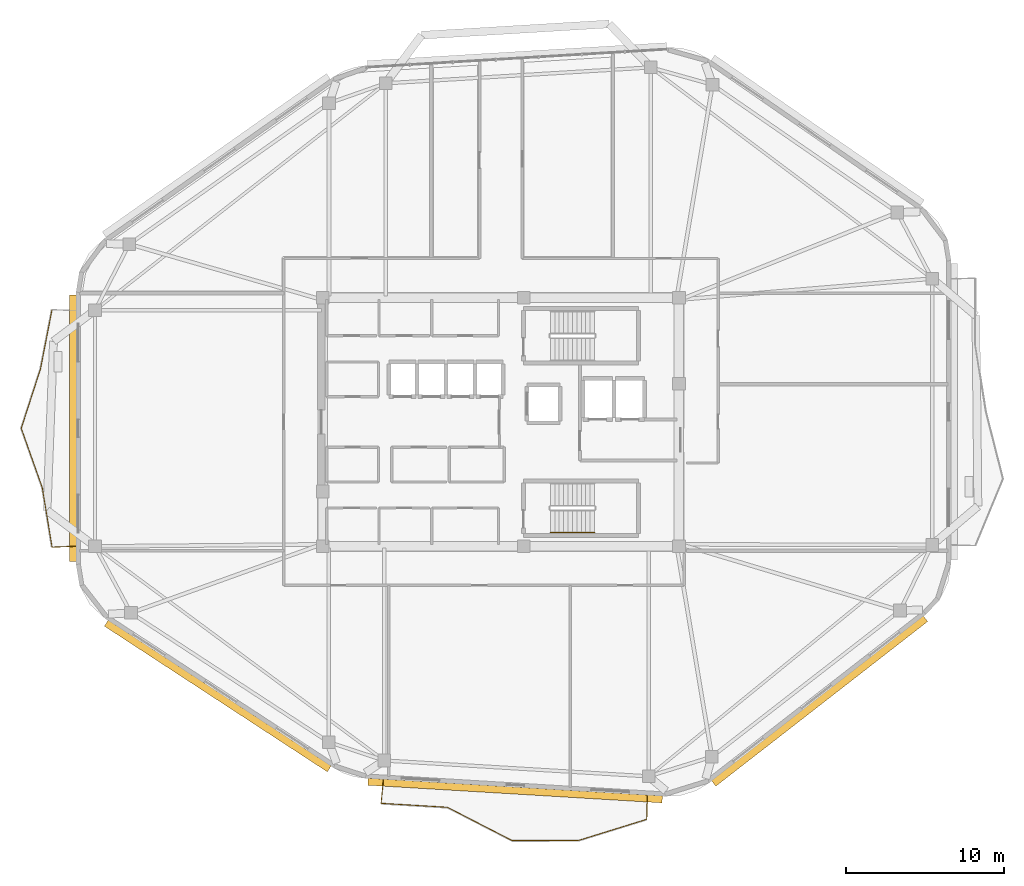
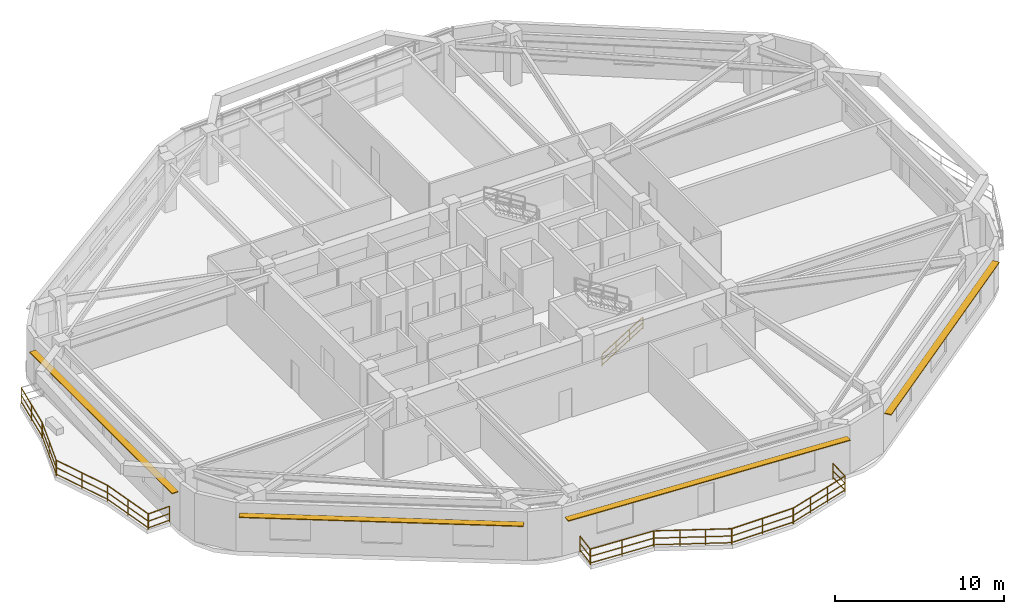
# One storey, part 10 of 12: 12 railings, 4 shading devices.
"""IFC4 building model written with IfcOpenShell, lengths in metres."""

import ifcopenshell
import ifcopenshell.guid

model = None  # the IFC model being written
_history = None  # IfcOwnerHistory: only IFC2X3 demands one
_inside = {}  # id of a spatial element -> (the spatial element, [elements in it])
_under = {}  # id of a project, library or spatial element -> (it, [spatial elements below it])
_declared = {}  # id of a project -> (the project, [libraries it declares])
_typed = {}  # id of a type object -> (the type object, [elements of that type])
_made_of = {}  # id of a material, layer set ... -> (it, [elements and type objects made of it])


def new_model(schema):
    """Start an empty IFC model of exactly this schema.

    Asked for "IFC4X3", IfcOpenShell would pick the latest addendum, in which some entities
    have other attributes; the version numbers below select the first issue.
    IFC2X3 requires an IfcOwnerHistory on every rooted entity: one is made here for all.
    """
    global model, _history
    if schema == "IFC4X3":
        model = ifcopenshell.file(schema_version=(4, 3, 0, 0))
    else:
        model = ifcopenshell.file(schema=schema)
    _inside.clear()
    _under.clear()
    _declared.clear()
    _typed.clear()
    _made_of.clear()
    _history = None
    if model.schema == "IFC2X3":
        org = make("IfcOrganization", Name="unknown")
        user = make(
            "IfcPersonAndOrganization",
            ThePerson=make("IfcPerson", FamilyName="unknown"),
            TheOrganization=org,
        )
        app = make(
            "IfcApplication",
            ApplicationDeveloper=org,
            Version="unknown",
            ApplicationFullName="unknown",
            ApplicationIdentifier="unknown",
        )
        _history = make(
            "IfcOwnerHistory",
            OwningUser=user,
            OwningApplication=app,
            ChangeAction="ADDED",
            CreationDate=0,
        )
    return model


def make(cls, **values):
    """One entity of the class cls with the attributes given. An attribute that is None is left unset."""
    return model.create_entity(
        cls, **{name: value for name, value in values.items() if value is not None}
    )


def rooted(cls, **values):
    """An entity with a GlobalId (a new one), such as an element, a storey or a relation."""
    return make(cls, GlobalId=ifcopenshell.guid.new(), OwnerHistory=_history, **values)


def si_unit(unit_type, name, prefix=None):
    """IfcSIUnit, for example si_unit("LENGTHUNIT", "METRE", prefix="MILLI")."""
    return make("IfcSIUnit", UnitType=unit_type, Prefix=prefix, Name=name)


def assignment(units):
    """IfcUnitAssignment: the units of a project."""
    return None if units is None else make("IfcUnitAssignment", Units=units)


def point(xyz):
    """IfcCartesianPoint."""
    return None if xyz is None else make("IfcCartesianPoint", Coordinates=xyz)


def direction(xyz):
    """IfcDirection."""
    return None if xyz is None else make("IfcDirection", DirectionRatios=xyz)


def frame(location, z_axis=None, x_axis=None):
    """IfcAxis2Placement3D, a coordinate frame: its origin and axes. An axis left out is left unset."""
    return make(
        "IfcAxis2Placement3D",
        Location=point(location),
        Axis=direction(z_axis),
        RefDirection=direction(x_axis),
    )


def frame_2d(location, x_axis=None):
    """IfcAxis2Placement2D, a coordinate frame in the plane: its origin and x axis."""
    return make(
        "IfcAxis2Placement2D", Location=point(location), RefDirection=direction(x_axis)
    )


def origin():
    """The frame at (0, 0, 0) with its axes left unset."""
    return frame((0.0, 0.0, 0.0))


def origin_2d():
    """The frame at (0, 0) in the plane with its x axis left unset."""
    return frame_2d((0.0, 0.0))


def place(relative_to, where):
    """IfcLocalPlacement: puts the frame where relative to a parent placement (None: the world)."""
    return make(
        "IfcLocalPlacement", PlacementRelTo=relative_to, RelativePlacement=where
    )


def context(
    kind, dimensions, precision=None, world=None, true_north=None, identifier=None
):
    """IfcGeometricRepresentationContext, for example the 3D "Model" context."""
    return make(
        "IfcGeometricRepresentationContext",
        ContextIdentifier=identifier,
        ContextType=kind,
        CoordinateSpaceDimension=dimensions,
        Precision=precision,
        WorldCoordinateSystem=world,
        TrueNorth=true_north,
    )


def subcontext(parent, identifier, kind, view, scale=None):
    """IfcGeometricRepresentationSubContext, for example "Body" below "Model"."""
    return make(
        "IfcGeometricRepresentationSubContext",
        ContextIdentifier=identifier,
        ContextType=kind,
        ParentContext=parent,
        TargetScale=scale,
        TargetView=view,
    )


def project(units=None, contexts=None):
    """IfcProject with its units and contexts."""
    return rooted(
        "IfcProject",
        Name="project",
        RepresentationContexts=contexts,
        UnitsInContext=assignment(units),
    )


def spatial(cls, under=None, at=None, **own):
    """A site, building, storey or space (cls), placed at a placement, below another one or the project."""
    s = rooted(cls, ObjectPlacement=at, **own)
    if under is not None:
        _under.setdefault(under.id(), (under, []))[1].append(s)
    return s


def profile(cls, at=None, kind="AREA", **sizes):
    """A parametric profile (cls). Its sizes go by their IFC names, for example OverallWidth=200.0."""
    return make(cls, ProfileType=kind, Position=at, **sizes)


def rectangle(**sizes):
    """IfcRectangleProfileDef."""
    return profile("IfcRectangleProfileDef", **sizes)


def extrude(swept, where, along, depth):
    """IfcExtrudedAreaSolid: the profile swept, set in the frame where, extruded along a direction by depth."""
    return make(
        "IfcExtrudedAreaSolid",
        SweptArea=swept,
        Position=where,
        ExtrudedDirection=direction(along),
        Depth=depth,
    )


def shape(context_of_items, identifier, shape_type, items):
    """IfcShapeRepresentation: the items that make up one representation, for example the "Body"."""
    return make(
        "IfcShapeRepresentation",
        ContextOfItems=context_of_items,
        RepresentationIdentifier=identifier,
        RepresentationType=shape_type,
        Items=items,
    )


def material(Name=None, Category=None):
    """IfcMaterial."""
    return make("IfcMaterial", Name=Name, Category=Category)


def layer(
    of_material, thickness, ventilated=None, Name=None, Category=None, Priority=None
):
    """IfcMaterialLayer: one layer of a wall or slab, of a material (None: an air gap)."""
    return make(
        "IfcMaterialLayer",
        Material=of_material,
        LayerThickness=thickness,
        IsVentilated=ventilated,
        Name=Name,
        Category=Category,
        Priority=Priority,
    )


def layer_set(layers, Name=None):
    """IfcMaterialLayerSet."""
    return make("IfcMaterialLayerSet", MaterialLayers=layers, LayerSetName=Name)


def made_of(thing, what):
    """Note that an element or type object is made of a material, layer set ...; save() writes the relation."""
    if what is not None:
        _made_of.setdefault(what.id(), (what, []))[1].append(thing)
    return thing


def type_object(cls, material=None, **own):
    """A type object (cls), such as IfcWallType, which elements share."""
    return made_of(rooted(cls, **own), material)


def element(
    cls,
    number,
    at=None,
    inside=None,
    cuts=None,
    type_object=None,
    material=None,
    context=None,
    identifier="Body",
    shape_type=None,
    held_by="IfcProductDefinitionShape",
    body=None,
    shapes=None,
    **own,
):
    """One element of the class cls, such as IfcWall. Its Tag is "e" and its number.

    at: its placement. inside: the storey or other place that contains it. cuts: it is an
    opening in that element (IfcRelVoidsElement). A single representation is given by context,
    identifier, shape_type and body (its items); several are given by shapes. held_by: the class
    of the entity that holds the representations. save() writes the other relations.
    """
    e = rooted(cls, Tag="e%d" % number, ObjectPlacement=at, **own)
    if body is not None:
        shapes = [shape(context, identifier, shape_type, body)]
    if shapes is not None:
        e.Representation = make(held_by, Representations=shapes)
    if inside is not None:
        _inside.setdefault(inside.id(), (inside, []))[1].append(e)
    if cuts is not None:
        rooted(
            "IfcRelVoidsElement", RelatingBuildingElement=cuts, RelatedOpeningElement=e
        )
    if type_object is not None:
        _typed.setdefault(type_object.id(), (type_object, []))[1].append(e)
    return made_of(e, material)


def aggregate(whole, parts):
    """IfcRelAggregates: a whole, such as a stair, and the parts it consists of."""
    return rooted("IfcRelAggregates", RelatingObject=whole, RelatedObjects=parts)


def save(model, path):
    """Write the relations noted so far, then the file.

    IfcRelAggregates (storeys below a building ...), IfcRelContainedInSpatialStructure (elements
    in a storey), IfcRelDefinesByType, IfcRelAssociatesMaterial and IfcRelDeclares: one each for
    every whole, place, type object, material and project.
    """
    for whole, parts in _under.values():
        aggregate(whole, parts)
    for where, things in _inside.values():
        rooted(
            "IfcRelContainedInSpatialStructure",
            RelatedElements=things,
            RelatingStructure=where,
        )
    for kind, things in _typed.values():
        rooted("IfcRelDefinesByType", RelatedObjects=things, RelatingType=kind)
    for what, things in _made_of.values():
        rooted("IfcRelAssociatesMaterial", RelatedObjects=things, RelatingMaterial=what)
    for by, libraries in _declared.values():
        rooted("IfcRelDeclares", RelatingContext=by, RelatedDefinitions=libraries)
    model.write(path)


model = new_model("IFC4")

# Units and contexts
model_context = context("Model", 3, precision=1e-05, world=origin(), true_north=direction((0.0, 1.0)))
body_context = subcontext(model_context, "Body", "Model", "MODEL_VIEW")
ifc_project = project(units=[si_unit("LENGTHUNIT", "METRE"), si_unit("AREAUNIT", "SQUARE_METRE"), si_unit("VOLUMEUNIT", "CUBIC_METRE"), si_unit("PLANEANGLEUNIT", "RADIAN"), si_unit("MASSUNIT", "GRAM", prefix="KILO")], contexts=[model_context])

# Site, building, storey
site_placement = place(None, origin())
site = spatial("IfcSite", under=ifc_project, at=site_placement, CompositionType="ELEMENT")
building_placement = place(site_placement, origin())
building = spatial("IfcBuilding", under=site, at=building_placement, Name="Zulverin Broadcast Headquarters", CompositionType="ELEMENT")
storey_placement = place(building_placement, frame((0.0, 0.0, 240.199951171875)))
storey = spatial("IfcBuildingStorey", under=building, at=storey_placement, Name="L61", CompositionType="ELEMENT", Elevation=240.199951171875)

# Railings
ifc_material_1 = material(Name="Brushed stainless steel & laminated glass balustrade", Category="steel")
railing_type_1 = type_object("IfcRailingType", Name="RL-GUARD-1150", PredefinedType="GUARDRAIL", material=ifc_material_1)
railing_1_placement = place(storey_placement, frame((29.5576171875, 2.525390625, 0.0)))
element("IfcRailing", 1, at=railing_1_placement, inside=storey, type_object=railing_type_1, Name="L61 Vertical-Forest Balcony Guardrail BAL_S Segment 01", PredefinedType="GUARDRAIL", context=body_context, shape_type="SweptSolid", body=[
    extrude(rectangle(XDim=0.048095703125, YDim=0.048095703125, at=origin_2d()), frame((0.0, 0.0, 1.1259765625), z_axis=(-0.100245616419, -0.994962721105, 0.0), x_axis=(0.994962721105, -0.100245616419, 0.0)), (0.0, 0.0, 1.0), 1.466064453125),
    extrude(rectangle(XDim=0.0419921875, YDim=0.0419921875, at=origin_2d()), frame((0.0, 0.0, 0.597900390625), z_axis=(-0.100245616419, -0.994962721105, 0.0), x_axis=(0.994962721105, -0.100245616419, 0.0)), (0.0, 0.0, 1.0), 1.466064453125),
    extrude(rectangle(XDim=0.0419921875, YDim=0.0419921875, at=origin_2d()), frame((0.0, 0.0, 0.1201171875), z_axis=(-0.100245616419, -0.994962721105, 0.0), x_axis=(0.994962721105, -0.100245616419, 0.0)), (0.0, 0.0, 1.0), 1.466064453125),
    extrude(rectangle(XDim=0.0419921875, YDim=0.0419921875, at=origin_2d()), origin(), (0.0, 0.0, 1.0), 1.101806640625),
    extrude(rectangle(XDim=0.0419921875, YDim=0.0419921875, at=origin_2d()), frame((-0.14697265625, -1.458740234375, 0.0)), (0.0, 0.0, 1.0), 1.101806640625),
])
railing_2_placement = place(storey_placement, frame((29.424072265625, 1.05078125, 0.0)))
element("IfcRailing", 2, at=railing_2_placement, inside=storey, type_object=railing_type_1, Name="L61 Vertical-Forest Balcony Guardrail BAL_S Segment 02", PredefinedType="GUARDRAIL", context=body_context, shape_type="SweptSolid", body=[
    extrude(rectangle(XDim=0.048095703125, YDim=0.048095703125, at=origin_2d()), frame((0.0, 0.0, 1.1259765625), z_axis=(0.998203659465, -0.059912054133, 0.0), x_axis=(0.059912054133, 0.998203659465, 0.0)), (0.0, 0.0, 1.0), 4.18505859375),
    extrude(rectangle(XDim=0.0419921875, YDim=0.0419921875, at=origin_2d()), frame((0.0, 0.0, 0.597900390625), z_axis=(0.998203659465, -0.059912054133, 0.0), x_axis=(0.059912054133, 0.998203659465, 0.0)), (0.0, 0.0, 1.0), 4.18505859375),
    extrude(rectangle(XDim=0.0419921875, YDim=0.0419921875, at=origin_2d()), frame((0.0, 0.0, 0.1201171875), z_axis=(0.998203659465, -0.059912054133, 0.0), x_axis=(0.059912054133, 0.998203659465, 0.0)), (0.0, 0.0, 1.0), 4.18505859375),
    extrude(rectangle(XDim=0.0419921875, YDim=0.0419921875, at=origin_2d()), origin(), (0.0, 0.0, 1.0), 1.101806640625),
    extrude(rectangle(XDim=0.0419921875, YDim=0.0419921875, at=origin_2d()), frame((2.0888671875, -0.12548828125, 0.0)), (0.0, 0.0, 1.0), 1.101806640625),
    extrude(rectangle(XDim=0.0419921875, YDim=0.0419921875, at=origin_2d()), frame((4.177490234375, -0.250732421875, 0.0)), (0.0, 0.0, 1.0), 1.101806640625),
])
railing_3_placement = place(storey_placement, frame((33.6298828125, 0.792236328125, 0.0)))
element("IfcRailing", 3, at=railing_3_placement, inside=storey, type_object=railing_type_1, Name="L61 Vertical-Forest Balcony Guardrail BAL_S Segment 03", PredefinedType="GUARDRAIL", context=body_context, shape_type="SweptSolid", body=[
    extrude(rectangle(XDim=0.048095703125, YDim=0.048095703125, at=origin_2d()), frame((0.0, 0.0, 1.1259765625), z_axis=(0.889181773942, -0.457554120176, 0.0), x_axis=(0.457554120176, 0.889181773942, 0.0)), (0.0, 0.0, 1.0), 4.576416015625),
    extrude(rectangle(XDim=0.0419921875, YDim=0.0419921875, at=origin_2d()), frame((0.0, 0.0, 0.597900390625), z_axis=(0.889181773942, -0.457554120176, 0.0), x_axis=(0.457554120176, 0.889181773942, 0.0)), (0.0, 0.0, 1.0), 4.576416015625),
    extrude(rectangle(XDim=0.0419921875, YDim=0.0419921875, at=origin_2d()), frame((0.0, 0.0, 0.1201171875), z_axis=(0.889181773942, -0.457554120176, 0.0), x_axis=(0.457554120176, 0.889181773942, 0.0)), (0.0, 0.0, 1.0), 4.576416015625),
    extrude(rectangle(XDim=0.0419921875, YDim=0.0419921875, at=origin_2d()), origin(), (0.0, 0.0, 1.0), 1.101806640625),
    extrude(rectangle(XDim=0.0419921875, YDim=0.0419921875, at=origin_2d()), frame((1.3564453125, -0.697998046875, 0.0)), (0.0, 0.0, 1.0), 1.101806640625),
    extrude(rectangle(XDim=0.0419921875, YDim=0.0419921875, at=origin_2d()), frame((2.712890625, -1.39599609375, 0.0)), (0.0, 0.0, 1.0), 1.101806640625),
    extrude(rectangle(XDim=0.0419921875, YDim=0.0419921875, at=origin_2d()), frame((4.0693359375, -2.093994140625, 0.0)), (0.0, 0.0, 1.0), 1.101806640625),
])
railing_4_placement = place(storey_placement, frame((37.7275390625, -1.30859375, 0.0)))
element("IfcRailing", 4, at=railing_4_placement, inside=storey, type_object=railing_type_1, Name="L61 Vertical-Forest Balcony Guardrail BAL_S Segment 04", PredefinedType="GUARDRAIL", context=body_context, shape_type="SweptSolid", body=[
    extrude(rectangle(XDim=0.048095703125, YDim=0.048095703125, at=origin_2d()), frame((0.0, 0.0, 1.1259765625), z_axis=(0.99999348514, 0.00360966442, 0.0), x_axis=(-0.00360966442, 0.99999348514, 0.0)), (0.0, 0.0, 1.0), 4.193359375),
    extrude(rectangle(XDim=0.0419921875, YDim=0.0419921875, at=origin_2d()), frame((0.0, 0.0, 0.597900390625), z_axis=(0.99999348514, 0.00360966442, 0.0), x_axis=(-0.00360966442, 0.99999348514, 0.0)), (0.0, 0.0, 1.0), 4.193359375),
    extrude(rectangle(XDim=0.0419921875, YDim=0.0419921875, at=origin_2d()), frame((0.0, 0.0, 0.1201171875), z_axis=(0.99999348514, 0.00360966442, 0.0), x_axis=(-0.00360966442, 0.99999348514, 0.0)), (0.0, 0.0, 1.0), 4.193359375),
    extrude(rectangle(XDim=0.0419921875, YDim=0.0419921875, at=origin_2d()), origin(), (0.0, 0.0, 1.0), 1.101806640625),
    extrude(rectangle(XDim=0.0419921875, YDim=0.0419921875, at=origin_2d()), frame((2.0966796875, 0.007568359375, 0.0)), (0.0, 0.0, 1.0), 1.101806640625),
    extrude(rectangle(XDim=0.0419921875, YDim=0.0419921875, at=origin_2d()), frame((4.193359375, 0.01513671875, 0.0)), (0.0, 0.0, 1.0), 1.101806640625),
])
railing_5_placement = place(storey_placement, frame((41.9501953125, -1.2890625, 0.0)))
element("IfcRailing", 5, at=railing_5_placement, inside=storey, type_object=railing_type_1, Name="L61 Vertical-Forest Balcony Guardrail BAL_S Segment 05", PredefinedType="GUARDRAIL", context=body_context, shape_type="SweptSolid", body=[
    extrude(rectangle(XDim=0.048095703125, YDim=0.048095703125, at=origin_2d()), frame((0.0, 0.0, 1.1259765625), z_axis=(0.955093423081, 0.296304831529, 0.0), x_axis=(-0.296304831529, 0.955093423081, 0.0)), (0.0, 0.0, 1.0), 4.474853515625),
    extrude(rectangle(XDim=0.0419921875, YDim=0.0419921875, at=origin_2d()), frame((0.0, 0.0, 0.597900390625), z_axis=(0.955093423081, 0.296304831529, 0.0), x_axis=(-0.296304831529, 0.955093423081, 0.0)), (0.0, 0.0, 1.0), 4.474853515625),
    extrude(rectangle(XDim=0.0419921875, YDim=0.0419921875, at=origin_2d()), frame((0.0, 0.0, 0.1201171875), z_axis=(0.955093423081, 0.296304831529, 0.0), x_axis=(-0.296304831529, 0.955093423081, 0.0)), (0.0, 0.0, 1.0), 4.474853515625),
    extrude(rectangle(XDim=0.0419921875, YDim=0.0419921875, at=origin_2d()), origin(), (0.0, 0.0, 1.0), 1.101806640625),
    extrude(rectangle(XDim=0.0419921875, YDim=0.0419921875, at=origin_2d()), frame((1.424560546875, 0.44189453125, 0.0)), (0.0, 0.0, 1.0), 1.101806640625),
    extrude(rectangle(XDim=0.0419921875, YDim=0.0419921875, at=origin_2d()), frame((2.849365234375, 0.884033203125, 0.0)), (0.0, 0.0, 1.0), 1.101806640625),
    extrude(rectangle(XDim=0.0419921875, YDim=0.0419921875, at=origin_2d()), frame((4.27392578125, 1.325927734375, 0.0)), (0.0, 0.0, 1.0), 1.101806640625),
])
railing_6_placement = place(storey_placement, frame((46.23876953125, 0.056396484375, 0.0)))
element("IfcRailing", 6, at=railing_6_placement, inside=storey, type_object=railing_type_1, Name="L61 Vertical-Forest Balcony Guardrail BAL_S Segment 06", PredefinedType="GUARDRAIL", context=body_context, shape_type="SweptSolid", body=[
    extrude(rectangle(XDim=0.048095703125, YDim=0.048095703125, at=origin_2d()), frame((0.0, 0.0, 1.1259765625), z_axis=(0.019483309682, 0.999810182307, 0.0), x_axis=(-0.999810182307, 0.019483309682, 0.0)), (0.0, 0.0, 1.0), 1.466064453125),
    extrude(rectangle(XDim=0.0419921875, YDim=0.0419921875, at=origin_2d()), frame((0.0, 0.0, 0.597900390625), z_axis=(0.019483309682, 0.999810182307, 0.0), x_axis=(-0.999810182307, 0.019483309682, 0.0)), (0.0, 0.0, 1.0), 1.466064453125),
    extrude(rectangle(XDim=0.0419921875, YDim=0.0419921875, at=origin_2d()), frame((0.0, 0.0, 0.1201171875), z_axis=(0.019483309682, 0.999810182307, 0.0), x_axis=(-0.999810182307, 0.019483309682, 0.0)), (0.0, 0.0, 1.0), 1.466064453125),
    extrude(rectangle(XDim=0.0419921875, YDim=0.0419921875, at=origin_2d()), origin(), (0.0, 0.0, 1.0), 1.101806640625),
    extrude(rectangle(XDim=0.0419921875, YDim=0.0419921875, at=origin_2d()), frame((0.028564453125, 1.4658203125, 0.0)), (0.0, 0.0, 1.0), 1.101806640625),
])
railing_7_placement = place(storey_placement, frame((8.5771484375, 32.310546875, 0.0)))
element("IfcRailing", 7, at=railing_7_placement, inside=storey, type_object=railing_type_1, Name="L61 Vertical-Forest Balcony Guardrail BAL_W Segment 02", PredefinedType="GUARDRAIL", context=body_context, shape_type="SweptSolid", body=[
    extrude(rectangle(XDim=0.048095703125, YDim=0.048095703125, at=origin_2d()), frame((0.0, 0.0, 1.1259765625), z_axis=(-0.191017354276, -0.981586659631, 0.0), x_axis=(0.981586659631, -0.191017354276, 0.0)), (0.0, 0.0, 1.0), 3.804931640625),
    extrude(rectangle(XDim=0.0419921875, YDim=0.0419921875, at=origin_2d()), frame((0.0, 0.0, 0.597900390625), z_axis=(-0.191017354276, -0.981586659631, 0.0), x_axis=(0.981586659631, -0.191017354276, 0.0)), (0.0, 0.0, 1.0), 3.804931640625),
    extrude(rectangle(XDim=0.0419921875, YDim=0.0419921875, at=origin_2d()), frame((0.0, 0.0, 0.1201171875), z_axis=(-0.191017354276, -0.981586659631, 0.0), x_axis=(0.981586659631, -0.191017354276, 0.0)), (0.0, 0.0, 1.0), 3.804931640625),
    extrude(rectangle(XDim=0.0419921875, YDim=0.0419921875, at=origin_2d()), origin(), (0.0, 0.0, 1.0), 1.101806640625),
    extrude(rectangle(XDim=0.0419921875, YDim=0.0419921875, at=origin_2d()), frame((-0.36328125, -1.867431640625, 0.0)), (0.0, 0.0, 1.0), 1.101806640625),
    extrude(rectangle(XDim=0.0419921875, YDim=0.0419921875, at=origin_2d()), frame((-0.726806640625, -3.73486328125, 0.0)), (0.0, 0.0, 1.0), 1.101806640625),
])
railing_8_placement = place(storey_placement, frame((7.843017578125, 28.546875, 0.0)))
element("IfcRailing", 8, at=railing_8_placement, inside=storey, type_object=railing_type_1, Name="L61 Vertical-Forest Balcony Guardrail BAL_W Segment 03", PredefinedType="GUARDRAIL", context=body_context, shape_type="SweptSolid", body=[
    extrude(rectangle(XDim=0.048095703125, YDim=0.048095703125, at=origin_2d()), frame((0.0, 0.0, 1.1259765625), z_axis=(-0.307802073803, -0.951450410354, 0.0), x_axis=(0.951450410354, -0.307802073803, 0.0)), (0.0, 0.0, 1.0), 3.92626953125),
    extrude(rectangle(XDim=0.0419921875, YDim=0.0419921875, at=origin_2d()), frame((0.0, 0.0, 0.597900390625), z_axis=(-0.307802073803, -0.951450410354, 0.0), x_axis=(0.951450410354, -0.307802073803, 0.0)), (0.0, 0.0, 1.0), 3.92626953125),
    extrude(rectangle(XDim=0.0419921875, YDim=0.0419921875, at=origin_2d()), frame((0.0, 0.0, 0.1201171875), z_axis=(-0.307802073803, -0.951450410354, 0.0), x_axis=(0.951450410354, -0.307802073803, 0.0)), (0.0, 0.0, 1.0), 3.92626953125),
    extrude(rectangle(XDim=0.0419921875, YDim=0.0419921875, at=origin_2d()), origin(), (0.0, 0.0, 1.0), 1.101806640625),
    extrude(rectangle(XDim=0.0419921875, YDim=0.0419921875, at=origin_2d()), frame((-0.604248046875, -1.86767578125, 0.0)), (0.0, 0.0, 1.0), 1.101806640625),
    extrude(rectangle(XDim=0.0419921875, YDim=0.0419921875, at=origin_2d()), frame((-1.20849609375, -3.735595703125, 0.0)), (0.0, 0.0, 1.0), 1.101806640625),
])
railing_9_placement = place(storey_placement, frame((6.635009765625, 24.782958984375, 0.0)))
element("IfcRailing", 9, at=railing_9_placement, inside=storey, type_object=railing_type_1, Name="L61 Vertical-Forest Balcony Guardrail BAL_W Segment 04", PredefinedType="GUARDRAIL", context=body_context, shape_type="SweptSolid", body=[
    extrude(rectangle(XDim=0.048095703125, YDim=0.048095703125, at=origin_2d()), frame((0.0, 0.0, 1.1259765625), z_axis=(0.333583704161, -0.942720484724, 0.0), x_axis=(0.942720484724, 0.333583704161, 0.0)), (0.0, 0.0, 1.0), 3.963134765625),
    extrude(rectangle(XDim=0.0419921875, YDim=0.0419921875, at=origin_2d()), frame((0.0, 0.0, 0.597900390625), z_axis=(0.333583704161, -0.942720484724, 0.0), x_axis=(0.942720484724, 0.333583704161, 0.0)), (0.0, 0.0, 1.0), 3.963134765625),
    extrude(rectangle(XDim=0.0419921875, YDim=0.0419921875, at=origin_2d()), frame((0.0, 0.0, 0.1201171875), z_axis=(0.333583704161, -0.942720484724, 0.0), x_axis=(0.942720484724, 0.333583704161, 0.0)), (0.0, 0.0, 1.0), 3.963134765625),
    extrude(rectangle(XDim=0.0419921875, YDim=0.0419921875, at=origin_2d()), origin(), (0.0, 0.0, 1.0), 1.101806640625),
    extrude(rectangle(XDim=0.0419921875, YDim=0.0419921875, at=origin_2d()), frame((0.6611328125, -1.8681640625, 0.0)), (0.0, 0.0, 1.0), 1.101806640625),
    extrude(rectangle(XDim=0.0419921875, YDim=0.0419921875, at=origin_2d()), frame((1.322021484375, -3.736083984375, 0.0)), (0.0, 0.0, 1.0), 1.101806640625),
])
railing_10_placement = place(storey_placement, frame((7.96435546875, 21.01806640625, 0.0)))
element("IfcRailing", 10, at=railing_10_placement, inside=storey, type_object=railing_type_1, Name="L61 Vertical-Forest Balcony Guardrail BAL_W Segment 05", PredefinedType="GUARDRAIL", context=body_context, shape_type="SweptSolid", body=[
    extrude(rectangle(XDim=0.048095703125, YDim=0.048095703125, at=origin_2d()), frame((0.0, 0.0, 1.1259765625), z_axis=(0.162044838234, -0.986783395889, 0.0), x_axis=(0.986783395889, 0.162044838234, 0.0)), (0.0, 0.0, 1.0), 3.78466796875),
    extrude(rectangle(XDim=0.0419921875, YDim=0.0419921875, at=origin_2d()), frame((0.0, 0.0, 0.597900390625), z_axis=(0.162044838234, -0.986783395889, 0.0), x_axis=(0.986783395889, 0.162044838234, 0.0)), (0.0, 0.0, 1.0), 3.78466796875),
    extrude(rectangle(XDim=0.0419921875, YDim=0.0419921875, at=origin_2d()), frame((0.0, 0.0, 0.1201171875), z_axis=(0.162044838234, -0.986783395889, 0.0), x_axis=(0.986783395889, 0.162044838234, 0.0)), (0.0, 0.0, 1.0), 3.78466796875),
    extrude(rectangle(XDim=0.0419921875, YDim=0.0419921875, at=origin_2d()), origin(), (0.0, 0.0, 1.0), 1.101806640625),
    extrude(rectangle(XDim=0.0419921875, YDim=0.0419921875, at=origin_2d()), frame((0.306640625, -1.8671875, 0.0)), (0.0, 0.0, 1.0), 1.101806640625),
    extrude(rectangle(XDim=0.0419921875, YDim=0.0419921875, at=origin_2d()), frame((0.61328125, -3.734619140625, 0.0)), (0.0, 0.0, 1.0), 1.101806640625),
])
railing_11_placement = place(storey_placement, frame((8.594970703125, 17.269287109375, 0.0)))
element("IfcRailing", 11, at=railing_11_placement, inside=storey, type_object=railing_type_1, Name="L61 Vertical-Forest Balcony Guardrail BAL_W Segment 06", PredefinedType="GUARDRAIL", context=body_context, shape_type="SweptSolid", body=[
    extrude(rectangle(XDim=0.048095703125, YDim=0.048095703125, at=origin_2d()), frame((0.0, 0.0, 1.1259765625), z_axis=(0.999181155166, 0.040460093435, 0.0), x_axis=(-0.040460093435, 0.999181155166, 0.0)), (0.0, 0.0, 1.0), 1.46630859375),
    extrude(rectangle(XDim=0.0419921875, YDim=0.0419921875, at=origin_2d()), frame((0.0, 0.0, 0.597900390625), z_axis=(0.999181155166, 0.040460093435, 0.0), x_axis=(-0.040460093435, 0.999181155166, 0.0)), (0.0, 0.0, 1.0), 1.46630859375),
    extrude(rectangle(XDim=0.0419921875, YDim=0.0419921875, at=origin_2d()), frame((0.0, 0.0, 0.1201171875), z_axis=(0.999181155166, 0.040460093435, 0.0), x_axis=(-0.040460093435, 0.999181155166, 0.0)), (0.0, 0.0, 1.0), 1.46630859375),
    extrude(rectangle(XDim=0.0419921875, YDim=0.0419921875, at=origin_2d()), origin(), (0.0, 0.0, 1.0), 1.101806640625),
    extrude(rectangle(XDim=0.0419921875, YDim=0.0419921875, at=origin_2d()), frame((1.465087890625, 0.059326171875, 0.0)), (0.0, 0.0, 1.0), 1.101806640625),
])
ifc_material_2 = material(Name="Brushed stainless steel 48 mm handrail", Category="steel")
railing_type_2 = type_object("IfcRailingType", Name="RL-ST-HAND", PredefinedType="HANDRAIL", material=ifc_material_2)
railing_12_placement = place(storey_placement, frame((40.1298828125, 18.199951171875, 0.1728515625)))
element("IfcRailing", 12, at=railing_12_placement, inside=storey, type_object=railing_type_2, Name="L61 ST-2 stair handrail 1", PredefinedType="HANDRAIL", context=body_context, shape_type="SweptSolid", body=[
    extrude(rectangle(XDim=0.048095703125, YDim=0.048095703125, at=origin_2d()), frame((0.0, 0.0, 0.8759765625), z_axis=(0.851089632645, 0.0, 0.525020415988), x_axis=(0.0, 1.0, 0.0)), (0.0, 0.0, 1.0), 3.2900390625),
    extrude(rectangle(XDim=0.0419921875, YDim=0.0419921875, at=origin_2d()), frame((0.0, 0.0, 0.468017578125), z_axis=(0.851089632645, 0.0, 0.525020415988), x_axis=(0.0, 1.0, 0.0)), (0.0, 0.0, 1.0), 3.2900390625),
    extrude(rectangle(XDim=0.0419921875, YDim=0.0419921875, at=origin_2d()), frame((0.0, 0.0, 0.1201171875), z_axis=(0.851089632645, 0.0, 0.525020415988), x_axis=(0.0, 1.0, 0.0)), (0.0, 0.0, 1.0), 3.2900390625),
    extrude(rectangle(XDim=0.0419921875, YDim=0.0419921875, at=origin_2d()), origin(), (0.0, 0.0, 1.0), 0.851806640625),
    extrude(rectangle(XDim=0.0419921875, YDim=0.0419921875, at=origin_2d()), frame((0.933349609375, 0.0, 0.57568359375)), (0.0, 0.0, 1.0), 0.851806640625),
    extrude(rectangle(XDim=0.0419921875, YDim=0.0419921875, at=origin_2d()), frame((1.86669921875, 0.0, 1.151611328125)), (0.0, 0.0, 1.0), 0.851806640625),
    extrude(rectangle(XDim=0.0419921875, YDim=0.0419921875, at=origin_2d()), frame((2.800048828125, 0.0, 1.727294921875)), (0.0, 0.0, 1.0), 0.851806640625),
])

# Shading devices
ifc_material_3 = material(Name="Anodized pale-metal aluminium sunshade", Category="aluminium")
ifc_layer = layer(ifc_material_3, 0.06005859375, Name="Anodized pale-metal aluminium sunshade", Category="aluminium")
ifc_layer_set = layer_set([ifc_layer], Name="Anodized pale-metal aluminium sunshade")
shading_device_type = type_object("IfcShadingDeviceType", Name="SS-01_PALE_METAL_ALUMINIUM_SUNSHADE", PredefinedType="USERDEFINED", material=ifc_layer_set)
shading_device_1_placement = place(storey_placement, frame((37.90283203125, 1.864013671875, 2.7099609375), z_axis=(0.0, 0.0, 1.0), x_axis=(0.998202681386, -0.059928347834, 0.0)))
element("IfcShadingDevice", 13, at=shading_device_1_placement, inside=storey, type_object=shading_device_type, Name="L61 Horizontal Pale-Metal Sunshade Band 1", ObjectType="SUNSHADE", PredefinedType="USERDEFINED", context=body_context, shape_type="SweptSolid", body=[
    extrude(rectangle(XDim=18.65966796875, YDim=0.449951171875, at=origin_2d()), origin(), (0.0, 0.0, 1.0), 0.06005859375),
])
shading_device_2_placement = place(storey_placement, frame((57.176025390625, 7.52685546875, 2.7099609375), z_axis=(0.0, 0.0, 1.0), x_axis=(0.789459183061, 0.613803061479, 0.0)))
element("IfcShadingDevice", 14, at=shading_device_2_placement, inside=storey, type_object=shading_device_type, Name="L61 Horizontal Pale-Metal Sunshade Band 2", ObjectType="SUNSHADE", PredefinedType="USERDEFINED", context=body_context, shape_type="SweptSolid", body=[
    extrude(rectangle(XDim=16.987548828125, YDim=0.449951171875, at=origin_2d()), origin(), (0.0, 0.0, 1.0), 0.06005859375),
])
shading_device_3_placement = place(storey_placement, frame((9.89990234375, 24.797119140625, 2.7099609375), z_axis=(0.0, 0.0, 1.0), x_axis=(0.0, -1.0, 0.0)))
element("IfcShadingDevice", 15, at=shading_device_3_placement, inside=storey, type_object=shading_device_type, Name="L61 Horizontal Pale-Metal Sunshade Band 7", ObjectType="SUNSHADE", PredefinedType="USERDEFINED", context=body_context, shape_type="SweptSolid", body=[
    extrude(rectangle(XDim=16.856689453125, YDim=0.449951171875, at=origin_2d()), origin(), (0.0, 0.0, 1.0), 0.06005859375),
])
shading_device_4_placement = place(storey_placement, frame((19.07177734375, 7.848388671875, 2.7099609375), z_axis=(0.0, 0.0, 1.0), x_axis=(0.837115830387, -0.54702567263, 0.0)))
element("IfcShadingDevice", 16, at=shading_device_4_placement, inside=storey, type_object=shading_device_type, Name="L61 Horizontal Pale-Metal Sunshade Band 8", ObjectType="SUNSHADE", PredefinedType="USERDEFINED", context=body_context, shape_type="SweptSolid", body=[
    extrude(rectangle(XDim=16.859130859375, YDim=0.449951171875, at=origin_2d()), origin(), (0.0, 0.0, 1.0), 0.06005859375),
])

save(model, "model.ifc")
